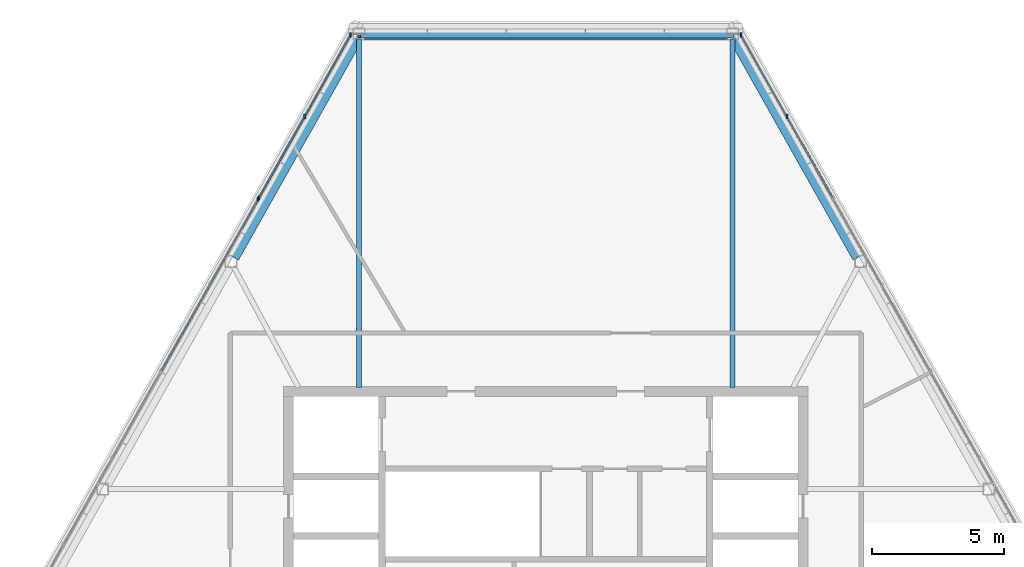
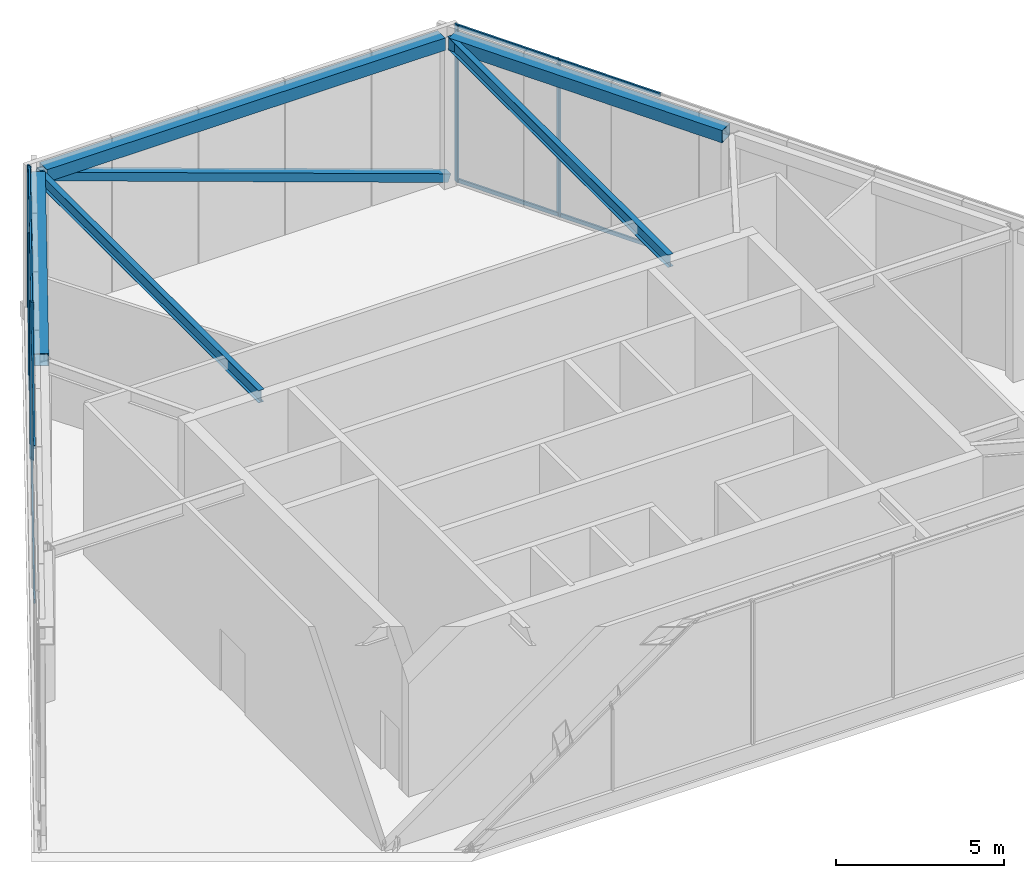
# One storey, part 4 of 11: 13 members, 5 beams, 3 elements without a shape of their own.
"""IFC4 building model written with IfcOpenShell, lengths in metres."""

from ifc_helpers import new_model, si_unit, direction, frame, origin, origin_2d, place, context, subcontext, project, spatial, rectangle, hollow_rectangle, i_section, extrude, material, layer, layer_set, material_profile, profile_set, type_object, element, aggregate, save


model = new_model("IFC4")

# Units and contexts
model_context = context("Model", 3, precision=1e-05, world=origin(), true_north=direction((0.0, 1.0)))
body_context = subcontext(model_context, "Body", "Model", "MODEL_VIEW")
ifc_project = project(units=[si_unit("LENGTHUNIT", "METRE"), si_unit("AREAUNIT", "SQUARE_METRE"), si_unit("VOLUMEUNIT", "CUBIC_METRE"), si_unit("PLANEANGLEUNIT", "RADIAN"), si_unit("MASSUNIT", "GRAM", prefix="KILO")], contexts=[model_context])

# Site, building, storey
site_placement = place(None, origin())
site = spatial("IfcSite", under=ifc_project, at=site_placement, CompositionType="ELEMENT")
building_placement = place(site_placement, origin())
building = spatial("IfcBuilding", under=site, at=building_placement, Name="Kavelnor Concourse Tower", CompositionType="ELEMENT")
storey_placement = place(building_placement, frame((0.0, 0.0, 309.949951171875)))
storey = spatial("IfcBuildingStorey", under=building, at=storey_placement, Name="L78", CompositionType="ELEMENT", Elevation=309.949951171875)

# Beams
ifc_material_1 = material(Name="Steel Grade 350", Category="steel")
ifc_material_profile_1 = material_profile(ifc_material_1, hollow_rectangle(XDim=0.449951171875, YDim=0.449951171875, WallThickness=0.02197265625, at=origin_2d()), Name="RHS 450x450x22")
ifc_profile_set_1 = profile_set([ifc_material_profile_1], Name="Steel Grade 350")
beam_type_1 = type_object("IfcBeamType", Name="BM-CROWN-RING-450", PredefinedType="BEAM", material=ifc_profile_set_1)
for number, where, z_axis, x_axis, name in (
    (1, (30.85791015625, 36.110595703125, 5.295166015625), (-0.490756437, -0.871296803359, 0.0), (0.871296803359, -0.490756437, 0.0), "L78 Crown Frame Ring Beam 01"),
    (2, (49.793701171875, 27.85205078125, 5.295166015625), (-0.490756437, 0.871296803359, 0.0), (-0.871296803359, -0.490756437, 0.0), "L78 Crown Frame Ring Beam 11"),
):
    element("IfcBeam", number, at=place(storey_placement, frame(where, z_axis=z_axis, x_axis=x_axis)), inside=storey, type_object=beam_type_1, Name=name, PredefinedType="BEAM", context=body_context, shape_type="SweptSolid", body=[
        extrude(hollow_rectangle(XDim=0.449951171875, YDim=0.449951171875, WallThickness=0.02197265625, at=origin_2d()), origin(), (0.0, 0.0, 1.0), 9.478515625),
    ])
beam_placement = place(storey_placement, frame((44.85888671875, 36.276123046875, 5.295166015625), z_axis=(-1.0, 0.0, 0.0), x_axis=(0.0, -1.0, 0.0)))
element("IfcBeam", 3, at=beam_placement, inside=storey, type_object=beam_type_1, Name="L78 Crown Frame Ring Beam 12", PredefinedType="BEAM", context=body_context, shape_type="SweptSolid", body=[
    extrude(hollow_rectangle(XDim=0.449951171875, YDim=0.449951171875, WallThickness=0.02197265625, at=origin_2d()), origin(), (0.0, 0.0, 1.0), 13.7177734375),
])
ifc_material_profile_2 = material_profile(ifc_material_1, i_section(OverallWidth=0.18994140625, OverallDepth=0.4541015625, WebThickness=0.008544921875, FlangeThickness=0.0126953125, at=origin_2d()), Name="460UB67")
ifc_profile_set_2 = profile_set([ifc_material_profile_2], Name="Steel Grade 350")
beam_type_2 = type_object("IfcBeamType", Name="BM-PRIMARY-460", PredefinedType="BEAM", material=ifc_profile_set_2)
for number, where, z_axis, x_axis, name in (
    (4, (30.950927734375, 22.93994140625, 5.29296875), (0.0, 1.0, 0.0), (-1.0, 0.0, 0.0), "L78 Crown Frame Radial Girder F0B0"),
    (5, (45.049072265625, 22.93994140625, 5.29296875), (0.0, 1.0, 0.0), (-1.0, 0.0, 0.0), "L78 Crown Frame Radial Girder F2B6"),
):
    element("IfcBeam", number, at=place(storey_placement, frame(where, z_axis=z_axis, x_axis=x_axis)), inside=storey, type_object=beam_type_2, Name=name, PredefinedType="BEAM", context=body_context, shape_type="SweptSolid", body=[
        extrude(i_section(OverallWidth=0.18994140625, OverallDepth=0.4541015625, WebThickness=0.008544921875, FlangeThickness=0.0126953125, at=origin_2d()), origin(), (0.0, 0.0, 1.0), 13.151123046875),
    ])

# Curtain wall, members
ifc_material_2 = material(Name="Anodised aluminium 6063-T6", Category="aluminium")
ifc_layer = layer(ifc_material_2, 0.1650390625, Name="Anodised aluminium 6063-T6")
ifc_layer_set = layer_set([ifc_layer], Name="Anodised aluminium 6063-T6")
curtain_wall_type = type_object("IfcCurtainWallType", Name="CW-CROWN-SCREEN", PredefinedType="NOTDEFINED", material=ifc_layer_set)
curtain_wall_1_placement = place(storey_placement, origin())
curtain_wall_1 = element("IfcCurtainWall", 6, at=curtain_wall_1_placement, inside=storey, type_object=curtain_wall_type, Name="L78 Crown Fritted Screen Curtain Wall E1-S1", PredefinedType="NOTDEFINED")
ifc_material_profile_3 = material_profile(ifc_material_2, rectangle(XDim=0.06005859375, YDim=0.1650390625, at=origin_2d()), Name="AL-MULL 60x165")
ifc_profile_set_3 = profile_set([ifc_material_profile_3], Name="Anodised aluminium 6063-T6")
member_type_1 = type_object("IfcMemberType", Name="CW-CROWN-SCREEN-MULL", PredefinedType="MULLION", material=ifc_profile_set_3)
member_1_placement = place(storey_placement, frame((30.631591796875, 36.238525390625, 0.0), z_axis=(0.0, 0.0, 1.0), x_axis=(1.0, 0.0, 0.0)))
member_1 = element("IfcMember", 7, at=member_1_placement, type_object=member_type_1, Name="L78 Crown Fritted Screen Curtain Wall E1-S1 Mullion 0", PredefinedType="MULLION", context=body_context, shape_type="SweptSolid", body=[
    extrude(rectangle(XDim=0.06005859375, YDim=0.1650390625, at=origin_2d()), origin(), (0.0, 0.0, 1.0), 5.72998046875),
])
member_2_placement = place(storey_placement, frame((28.9013671875, 33.16650390625, 0.0), z_axis=(0.0, 0.0, 1.0), x_axis=(1.0, 0.0, 0.0)))
member_2 = element("IfcMember", 8, at=member_2_placement, type_object=member_type_1, Name="L78 Crown Fritted Screen Curtain Wall E1-S1 Mullion 1", PredefinedType="MULLION", context=body_context, shape_type="SweptSolid", body=[
    extrude(rectangle(XDim=0.06005859375, YDim=0.1650390625, at=origin_2d()), origin(), (0.0, 0.0, 1.0), 5.72998046875),
])
member_3_placement = place(storey_placement, frame((27.171142578125, 30.0947265625, 0.0), z_axis=(0.0, 0.0, 1.0), x_axis=(1.0, 0.0, 0.0)))
member_3 = element("IfcMember", 9, at=member_3_placement, type_object=member_type_1, Name="L78 Crown Fritted Screen Curtain Wall E1-S1 Mullion 2", PredefinedType="MULLION", context=body_context, shape_type="SweptSolid", body=[
    extrude(rectangle(XDim=0.06005859375, YDim=0.1650390625, at=origin_2d()), origin(), (0.0, 0.0, 1.0), 5.72998046875),
])

# Curtain wall, member
curtain_wall_2_placement = place(storey_placement, origin())
curtain_wall_2 = element("IfcCurtainWall", 10, at=curtain_wall_2_placement, inside=storey, type_object=curtain_wall_type, Name="L78 Crown Fritted Screen Curtain Wall E1-S2", PredefinedType="NOTDEFINED")
member_4_placement = place(storey_placement, frame((27.1416015625, 30.04248046875, 0.0), z_axis=(0.0, 0.0, 1.0), x_axis=(1.0, 0.0, 0.0)))
member_4 = element("IfcMember", 11, at=member_4_placement, type_object=member_type_1, Name="L78 Crown Fritted Screen Curtain Wall E1-S2 Mullion 0", PredefinedType="MULLION", context=body_context, shape_type="SweptSolid", body=[
    extrude(rectangle(XDim=0.06005859375, YDim=0.1650390625, at=origin_2d()), origin(), (0.0, 0.0, 1.0), 5.72998046875),
])

# Curtain wall, members
curtain_wall_3_placement = place(storey_placement, origin())
curtain_wall_3 = element("IfcCurtainWall", 12, at=curtain_wall_3_placement, inside=storey, type_object=curtain_wall_type, Name="L78 Crown Fritted Screen Curtain Wall E5-S4", PredefinedType="NOTDEFINED")
member_5_placement = place(storey_placement, frame((47.0986328125, 33.16650390625, 0.0), z_axis=(0.0, 0.0, 1.0), x_axis=(1.0, 0.0, 0.0)))
member_5 = element("IfcMember", 13, at=member_5_placement, type_object=member_type_1, Name="L78 Crown Fritted Screen Curtain Wall E5-S4 Mullion 1", PredefinedType="MULLION", context=body_context, shape_type="SweptSolid", body=[
    extrude(rectangle(XDim=0.06005859375, YDim=0.1650390625, at=origin_2d()), origin(), (0.0, 0.0, 1.0), 5.72998046875),
])
member_6_placement = place(storey_placement, frame((45.368408203125, 36.238525390625, 0.0), z_axis=(0.0, 0.0, 1.0), x_axis=(1.0, 0.0, 0.0)))
member_6 = element("IfcMember", 14, at=member_6_placement, type_object=member_type_1, Name="L78 Crown Fritted Screen Curtain Wall E5-S4 Mullion 2", PredefinedType="MULLION", context=body_context, shape_type="SweptSolid", body=[
    extrude(rectangle(XDim=0.06005859375, YDim=0.1650390625, at=origin_2d()), origin(), (0.0, 0.0, 1.0), 5.72998046875),
])

# Member
ifc_material_profile_4 = material_profile(ifc_material_2, rectangle(XDim=0.06005859375, YDim=0.135009765625, at=origin_2d()), Name="AL-TRAN 60x135")
ifc_profile_set_4 = profile_set([ifc_material_profile_4], Name="Anodised aluminium 6063-T6")
member_type_2 = type_object("IfcMemberType", Name="CW-CROWN-SCREEN-TRAN", PredefinedType="USERDEFINED", material=ifc_profile_set_4)
member_7_placement = place(storey_placement, frame((30.631591796875, 36.238525390625, 0.06005859375), z_axis=(-0.49075267072, -0.871298924699, 0.0), x_axis=(0.871298924699, -0.49075267072, 0.0)))
member_7 = element("IfcMember", 15, at=member_7_placement, type_object=member_type_2, Name="L78 Crown Fritted Screen Curtain Wall E1-S1 Transom 0-BOT", ObjectType="TRANSOM", PredefinedType="USERDEFINED", context=body_context, shape_type="SweptSolid", body=[
    extrude(rectangle(XDim=0.06005859375, YDim=0.135009765625, at=origin_2d()), origin(), (0.0, 0.0, 1.0), 7.05126953125),
])

member_8_placement = place(storey_placement, frame((30.631591796875, 36.238525390625, 5.670166015625), z_axis=(-0.49075267072, -0.871298924699, 0.0), x_axis=(0.871298924699, -0.49075267072, 0.0)))
member_8 = element("IfcMember", 16, at=member_8_placement, type_object=member_type_2, Name="L78 Crown Fritted Screen Curtain Wall E1-S1 Transom 0-TOP", ObjectType="TRANSOM", PredefinedType="USERDEFINED", context=body_context, shape_type="SweptSolid", body=[
    extrude(rectangle(XDim=0.06005859375, YDim=0.135009765625, at=origin_2d()), origin(), (0.0, 0.0, 1.0), 7.05126953125),
])

aggregate(curtain_wall_1, [member_1, member_2, member_3, member_7, member_8])

member_9_placement = place(storey_placement, frame((27.1416015625, 30.04248046875, 0.06005859375), z_axis=(-0.490720074883, -0.871317283259, 0.0), x_axis=(0.871317283259, -0.490720074883, 0.0)))
member_9 = element("IfcMember", 17, at=member_9_placement, type_object=member_type_2, Name="L78 Crown Fritted Screen Curtain Wall E1-S2 Transom 0-BOT", ObjectType="TRANSOM", PredefinedType="USERDEFINED", context=body_context, shape_type="SweptSolid", body=[
    extrude(rectangle(XDim=0.06005859375, YDim=0.135009765625, at=origin_2d()), origin(), (0.0, 0.0, 1.0), 7.451171875),
])

member_10_placement = place(storey_placement, frame((27.1416015625, 30.04248046875, 5.670166015625), z_axis=(-0.490720074883, -0.871317283259, 0.0), x_axis=(0.871317283259, -0.490720074883, 0.0)))
member_10 = element("IfcMember", 18, at=member_10_placement, type_object=member_type_2, Name="L78 Crown Fritted Screen Curtain Wall E1-S2 Transom 0-TOP", ObjectType="TRANSOM", PredefinedType="USERDEFINED", context=body_context, shape_type="SweptSolid", body=[
    extrude(rectangle(XDim=0.06005859375, YDim=0.135009765625, at=origin_2d()), origin(), (0.0, 0.0, 1.0), 7.451171875),
])

aggregate(curtain_wall_2, [member_4, member_9, member_10])

member_11_placement = place(storey_placement, frame((48.828857421875, 30.0947265625, 0.06005859375), z_axis=(-0.49075267072, 0.871298924699, 0.0), x_axis=(-0.871298924699, -0.49075267072, 0.0)))
member_11 = element("IfcMember", 19, at=member_11_placement, type_object=member_type_2, Name="L78 Crown Fritted Screen Curtain Wall E5-S4 Transom 0-BOT", ObjectType="TRANSOM", PredefinedType="USERDEFINED", context=body_context, shape_type="SweptSolid", body=[
    extrude(rectangle(XDim=0.06005859375, YDim=0.135009765625, at=origin_2d()), origin(), (0.0, 0.0, 1.0), 7.05126953125),
])

member_12_placement = place(storey_placement, frame((48.828857421875, 30.0947265625, 5.670166015625), z_axis=(-0.49075267072, 0.871298924699, 0.0), x_axis=(-0.871298924699, -0.49075267072, 0.0)))
member_12 = element("IfcMember", 20, at=member_12_placement, type_object=member_type_2, Name="L78 Crown Fritted Screen Curtain Wall E5-S4 Transom 0-TOP", ObjectType="TRANSOM", PredefinedType="USERDEFINED", context=body_context, shape_type="SweptSolid", body=[
    extrude(rectangle(XDim=0.06005859375, YDim=0.135009765625, at=origin_2d()), origin(), (0.0, 0.0, 1.0), 7.05126953125),
])

aggregate(curtain_wall_3, [member_5, member_6, member_11, member_12])

ifc_material_profile_5 = material_profile(ifc_material_1, hollow_rectangle(XDim=0.300048828125, YDim=0.300048828125, WallThickness=0.01611328125, at=origin_2d()), Name="SHS 300x300x16")
ifc_profile_set_5 = profile_set([ifc_material_profile_5], Name="Steel Grade 350")
member_type_3 = type_object("IfcMemberType", Name="MBR-CROWN-BRACE-300", PredefinedType="BRACE", material=ifc_profile_set_5)
member_13_placement = place(storey_placement, frame((45.049072265625, 36.276123046875, 0.300048828125), z_axis=(-0.942584625501, 0.0, 0.333967399261), x_axis=(0.0, -1.0, 0.0)))
element("IfcMember", 21, at=member_13_placement, inside=storey, type_object=member_type_3, Name="L78 Crown Frame Diagonal Brace 12", PredefinedType="BRACE", context=body_context, shape_type="SweptSolid", body=[
    extrude(hollow_rectangle(XDim=0.300048828125, YDim=0.300048828125, WallThickness=0.01611328125, at=origin_2d()), origin(), (0.0, 0.0, 1.0), 14.956787109375),
])

save(model, "model.ifc")
